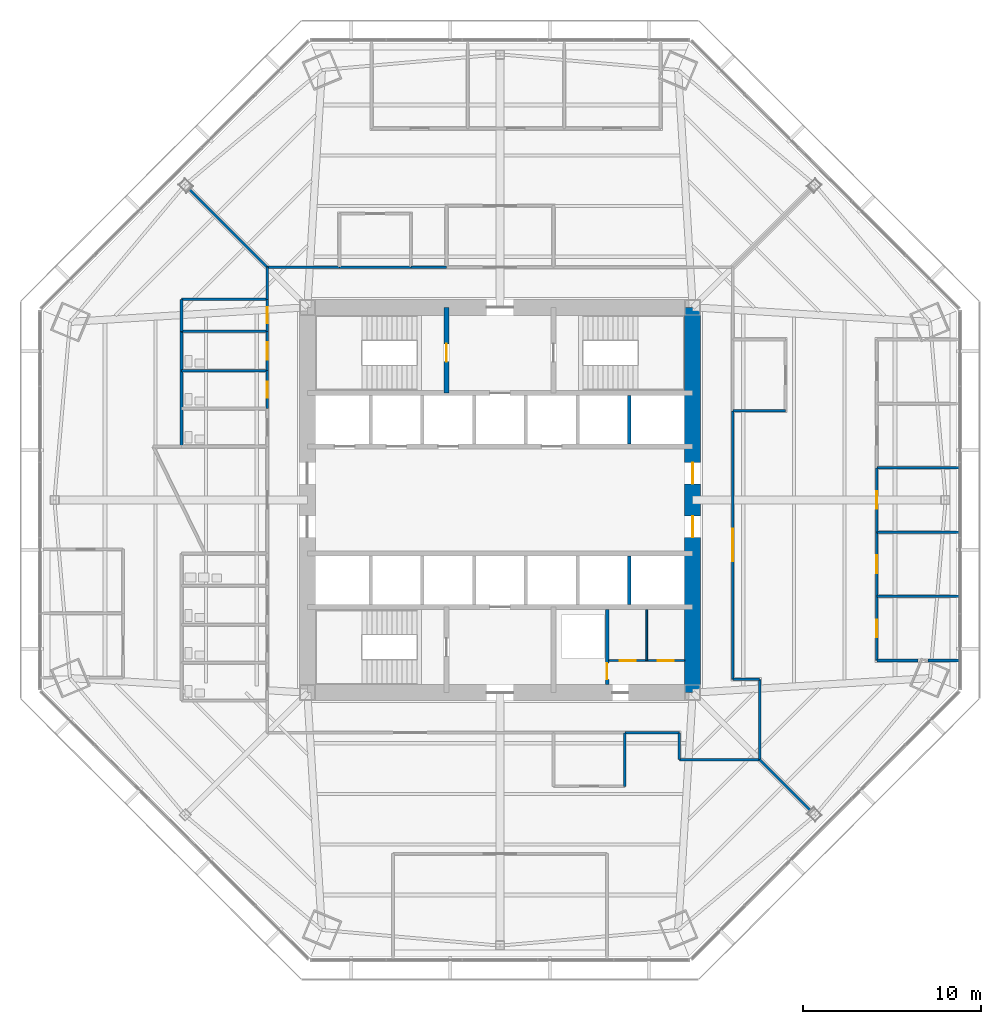
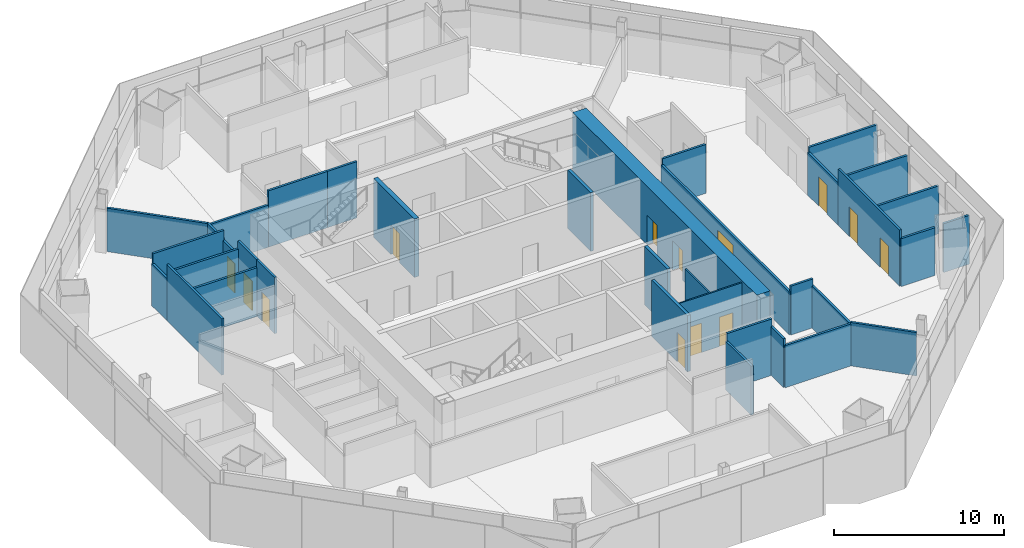
# One storey, part 11 of 16: 36 walls, 13 doors, 13 openings.
"""IFC4 building model written with IfcOpenShell, lengths in metres."""

from ifc_helpers import new_model, si_unit, direction, frame, frame_2d, origin, place, context, subcontext, project, spatial, rectangle, extrude, material, layer, layer_set, type_object, element, fill, save


model = new_model("IFC4")

# Units and contexts
model_context = context("Model", 3, precision=1e-05, world=origin(), true_north=direction((0.0, 1.0)))
body_context = subcontext(model_context, "Body", "Model", "MODEL_VIEW")
ifc_project = project(units=[si_unit("LENGTHUNIT", "METRE"), si_unit("AREAUNIT", "SQUARE_METRE"), si_unit("VOLUMEUNIT", "CUBIC_METRE"), si_unit("PLANEANGLEUNIT", "RADIAN"), si_unit("MASSUNIT", "GRAM", prefix="KILO")], contexts=[model_context])

# Site, building, storey
site_placement = place(None, origin())
site = spatial("IfcSite", under=ifc_project, at=site_placement, CompositionType="ELEMENT")
building_placement = place(site_placement, origin())
building = spatial("IfcBuilding", under=site, at=building_placement, Name="Mashrafa Tower", CompositionType="ELEMENT")
storey_placement = place(building_placement, frame((0.0, 0.0, 79.199951171875)))
storey = spatial("IfcBuildingStorey", under=building, at=storey_placement, Name="L17", CompositionType="ELEMENT", Elevation=79.199951171875)

# Wall, opening, door
ifc_material_1 = material(Name="Concrete masonry unit", Category="masonry")
ifc_layer_1 = layer(ifc_material_1, 0.199951171875)
ifc_layer_set_1 = layer_set([ifc_layer_1], Name="Blockwork wall 200 2 hr")
wall_type_1 = type_object("IfcWallType", Name="Blockwork wall 200 2 hr", PredefinedType="PARTITIONING", material=ifc_layer_set_1)
wall_1_placement = place(storey_placement, frame((6.0, -10.35009765625, 0.0), z_axis=(0.0, 0.0, 1.0), x_axis=(0.0, 1.0, 0.0)))
wall_1 = element("IfcWall", 1, at=wall_1_placement, inside=storey, type_object=wall_type_1, Name="Riser enclosure wall L17", PredefinedType="PARTITIONING", context=body_context, shape_type="SweptSolid", body=[
    extrude(rectangle(XDim=4.2001953125, YDim=0.199951171875, at=frame_2d((2.10009765625, 0.0))), origin(), (0.0, 0.0, 1.0), 4.03515625),
])
opening_1_placement = place(wall_1_placement, frame((0.300048828125, 0.0, 0.0)))
opening_1 = element("IfcOpeningElement", 2, at=opening_1_placement, cuts=wall_1, Name="Opening 17.038", PredefinedType="OPENING", context=body_context, shape_type="SweptSolid", body=[
    extrude(rectangle(XDim=0.89990234375, YDim=2.10009765625, at=frame_2d((0.449951171875, 1.050048828125))), frame((0.0, 0.10986328125, 0.0), z_axis=(0.0, -1.0, 0.0), x_axis=(1.0, 0.0, 0.0)), (0.0, 0.0, 1.0), 0.219970703125),
])
ifc_material_2 = material(Name="Steel door", Category="steel")
door_type_1 = type_object("IfcDoorType", Name="Service door 900 x 2100 90 min", OperationType="USERDEFINED", PredefinedType="DOOR", material=ifc_material_2)
door_1_placement = place(opening_1_placement, origin())
door_1 = element("IfcDoor", 3, at=door_1_placement, inside=storey, type_object=door_type_1, Name="Riser door L17", OperationType="SINGLE_SWING_LEFT", OverallHeight=2.10009765625, OverallWidth=0.89990234375, PredefinedType="DOOR", context=body_context, shape_type="SweptSolid", body=[
    extrude(rectangle(XDim=0.89990234375, YDim=2.10009765625, at=frame_2d((0.449951171875, 1.050048828125))), frame((0.0, 0.02490234375, 0.0), z_axis=(0.0, -1.0, 0.0), x_axis=(1.0, 0.0, 0.0)), (0.0, 0.0, 1.0), 0.050048828125),
])
fill(opening_1, door_1)

ifc_material_3 = material(Name="Concrete C60/75", Category="concrete")
ifc_layer_2 = layer(ifc_material_3, 0.300048828125)
ifc_layer_set_2 = layer_set([ifc_layer_2], Name="Core wall 300 C60/75")
wall_type_2 = type_object("IfcWallType", Name="Core wall 300 C60/75", PredefinedType="SOLIDWALL", material=ifc_layer_set_2)
wall_2_placement = place(storey_placement, frame((-3.0, 6.0, 0.0), z_axis=(0.0, 0.0, 1.0), x_axis=(0.0, 1.0, 0.0)))
wall_2 = element("IfcWall", 4, at=wall_2_placement, inside=storey, type_object=wall_type_2, Name="Core wall CX-NW L17", PredefinedType="SOLIDWALL", context=body_context, shape_type="SweptSolid", body=[
    extrude(rectangle(XDim=4.800048828125, YDim=0.300048828125, at=frame_2d((2.39990234375, 0.0))), origin(), (0.0, 0.0, 1.0), 4.199951171875),
])
opening_2_placement = place(wall_2_placement, frame((1.75, 0.0, 0.0)))
opening_2 = element("IfcOpeningElement", 5, at=opening_2_placement, cuts=wall_2, Name="Opening 17.034", PredefinedType="OPENING", context=body_context, shape_type="SweptSolid", body=[
    extrude(rectangle(XDim=1.0, YDim=2.10009765625, at=frame_2d((0.5, 1.050048828125))), frame((0.0, 0.159912109375, 0.0), z_axis=(0.0, -1.0, 0.0), x_axis=(1.0, 0.0, 0.0)), (0.0, 0.0, 1.0), 0.320068359375),
])
ifc_material_4 = material(Name="Steel door", Category="steel")
door_type_2 = type_object("IfcDoorType", Name="Stair door 1000 x 2100 90 min", OperationType="USERDEFINED", PredefinedType="DOOR", material=ifc_material_4)
door_2_placement = place(opening_2_placement, origin())
door_2 = element("IfcDoor", 6, at=door_2_placement, inside=storey, type_object=door_type_2, Name="Stair S1 door L17", OperationType="SINGLE_SWING_LEFT", OverallHeight=2.10009765625, OverallWidth=1.0, PredefinedType="DOOR", context=body_context, shape_type="SweptSolid", body=[
    extrude(rectangle(XDim=1.0, YDim=2.10009765625, at=frame_2d((0.5, 1.050048828125))), frame((0.0, 0.02490234375, 0.0), z_axis=(0.0, -1.0, 0.0), x_axis=(1.0, 0.0, 0.0)), (0.0, 0.0, 1.0), 0.050048828125),
])
fill(opening_2, door_2)

# Wall, openings, doors
ifc_material_5 = material(Name="Concrete C60/75", Category="concrete")
ifc_layer_3 = layer(ifc_material_5, 0.89990234375)
ifc_layer_set_3 = layer_set([ifc_layer_3], Name="Core wall 900 C60/75")
wall_type_3 = type_object("IfcWallType", Name="Core wall 900 C60/75", PredefinedType="SOLIDWALL", material=ifc_layer_set_3)
wall_3_placement = place(storey_placement, frame((10.800048828125, -10.800048828125, 0.0), z_axis=(0.0, 0.0, 1.0), x_axis=(0.0, 1.0, 0.0)))
wall_3 = element("IfcWall", 7, at=wall_3_placement, inside=storey, type_object=wall_type_3, Name="Core wall CW-E L17", PredefinedType="SOLIDWALL", context=body_context, shape_type="SweptSolid", body=[
    extrude(rectangle(XDim=21.60009765625, YDim=0.89990234375, at=frame_2d((10.800048828125, 0.0))), origin(), (0.0, 0.0, 1.0), 4.199951171875),
])
opening_3_placement = place(wall_3_placement, frame((11.699951171875, 0.0, 0.0)))
opening_3 = element("IfcOpeningElement", 8, at=opening_3_placement, cuts=wall_3, Name="Opening 17.028", PredefinedType="OPENING", context=body_context, shape_type="SweptSolid", body=[
    extrude(rectangle(XDim=1.199951171875, YDim=2.10009765625, at=frame_2d((0.60009765625, 1.050048828125))), frame((0.0, 0.4599609375, 0.0), z_axis=(0.0, -1.0, 0.0), x_axis=(1.0, 0.0, 0.0)), (0.0, 0.0, 1.0), 0.919921875),
])
opening_4_placement = place(wall_3_placement, frame((8.699951171875, 0.0, 0.0)))
opening_4 = element("IfcOpeningElement", 9, at=opening_4_placement, cuts=wall_3, Name="Opening 17.030", PredefinedType="OPENING", context=body_context, shape_type="SweptSolid", body=[
    extrude(rectangle(XDim=1.199951171875, YDim=2.10009765625, at=frame_2d((0.60009765625, 1.050048828125))), frame((0.0, 0.4599609375, 0.0), z_axis=(0.0, -1.0, 0.0), x_axis=(1.0, 0.0, 0.0)), (0.0, 0.0, 1.0), 0.919921875),
])
ifc_material_6 = material(Name="Steel door", Category="steel")
door_type_3 = type_object("IfcDoorType", Name="Lift hall door 1200 x 2100 90 min", OperationType="USERDEFINED", PredefinedType="DOOR", material=ifc_material_6)
door_3_placement = place(opening_3_placement, frame((1.199951171875, 0.0, 0.0), z_axis=(0.0, 0.0, 1.0), x_axis=(-1.0, 0.0, 0.0)))
door_3 = element("IfcDoor", 10, at=door_3_placement, inside=storey, type_object=door_type_3, Name="Lift hall door east L17", OperationType="SINGLE_SWING_LEFT", OverallHeight=2.10009765625, OverallWidth=1.199951171875, PredefinedType="DOOR", context=body_context, shape_type="SweptSolid", body=[
    extrude(rectangle(XDim=1.199951171875, YDim=2.10009765625, at=frame_2d((0.60009765625, 1.050048828125))), frame((0.0, 0.02490234375, 0.0), z_axis=(0.0, -1.0, 0.0), x_axis=(1.0, 0.0, 0.0)), (0.0, 0.0, 1.0), 0.050048828125),
])
fill(opening_3, door_3)
door_4_placement = place(opening_4_placement, frame((1.199951171875, 0.0, 0.0), z_axis=(0.0, 0.0, 1.0), x_axis=(-1.0, 0.0, 0.0)))
door_4 = element("IfcDoor", 11, at=door_4_placement, inside=storey, type_object=door_type_3, Name="Lift hall door east L17", OperationType="SINGLE_SWING_RIGHT", OverallHeight=2.10009765625, OverallWidth=1.199951171875, PredefinedType="DOOR", context=body_context, shape_type="SweptSolid", body=[
    extrude(rectangle(XDim=1.199951171875, YDim=2.10009765625, at=frame_2d((0.60009765625, 1.050048828125))), frame((0.0, 0.02490234375, 0.0), z_axis=(0.0, -1.0, 0.0), x_axis=(1.0, 0.0, 0.0)), (0.0, 0.0, 1.0), 0.050048828125),
])
fill(opening_4, door_4)

# Wall, opening, door
ifc_material_7 = material(Name="Gypsum board on steel studs", Category="steel")
ifc_layer_4 = layer(ifc_material_7, 0.14990234375)
ifc_layer_set_4 = layer_set([ifc_layer_4], Name="Corridor partition 150 1 hr")
wall_type_4 = type_object("IfcWallType", Name="Corridor partition 150 1 hr", PredefinedType="PARTITIONING", material=ifc_layer_set_4)
wall_4_placement = place(storey_placement, frame((-13.050048828125, 7.2509765625, 0.0), z_axis=(0.0, 0.0, 1.0), x_axis=(0.0, -1.0, 0.0)))
wall_4 = element("IfcWall", 12, at=wall_4_placement, inside=storey, type_object=wall_type_4, Name="Corridor wall L17-002", PredefinedType="PARTITIONING", context=body_context, shape_type="SweptSolid", body=[
    extrude(rectangle(XDim=2.126953125, YDim=0.14990234375, at=frame_2d((1.0634765625, 0.0))), origin(), (0.0, 0.0, 1.0), 4.03515625),
])
opening_5_placement = place(wall_4_placement, frame((0.613525390625, 0.0, 0.0)))
opening_5 = element("IfcOpeningElement", 13, at=opening_5_placement, cuts=wall_4, Name="Opening 17.002", PredefinedType="OPENING", context=body_context, shape_type="SweptSolid", body=[
    extrude(rectangle(XDim=0.89990234375, YDim=2.10009765625, at=frame_2d((0.449951171875, 1.050048828125))), frame((0.0, 0.0849609375, 0.0), z_axis=(0.0, -1.0, 0.0), x_axis=(1.0, 0.0, 0.0)), (0.0, 0.0, 1.0), 0.169921875),
])
ifc_material_8 = material(Name="Timber door", Category="wood")
door_type_4 = type_object("IfcDoorType", Name="Toilet door 900 x 2100", OperationType="USERDEFINED", PredefinedType="DOOR", material=ifc_material_8)
door_5_placement = place(opening_5_placement, frame((0.89990234375, 0.0, 0.0), z_axis=(0.0, 0.0, 1.0), x_axis=(-1.0, 0.0, 0.0)))
door_5 = element("IfcDoor", 14, at=door_5_placement, inside=storey, type_object=door_type_4, Name="WC Male L17 N door", OperationType="SINGLE_SWING_LEFT", OverallHeight=2.10009765625, OverallWidth=0.89990234375, PredefinedType="DOOR", context=body_context, shape_type="SweptSolid", body=[
    extrude(rectangle(XDim=0.89990234375, YDim=2.10009765625, at=frame_2d((0.449951171875, 1.050048828125))), frame((0.0, 0.02490234375, 0.0), z_axis=(0.0, -1.0, 0.0), x_axis=(1.0, 0.0, 0.0)), (0.0, 0.0, 1.0), 0.050048828125),
])
fill(opening_5, door_5)

wall_5_placement = place(storey_placement, frame((-13.050048828125, 9.450927734375, 0.0), z_axis=(0.0, 0.0, 1.0), x_axis=(0.0, -1.0, 0.0)))
wall_5 = element("IfcWall", 15, at=wall_5_placement, inside=storey, type_object=wall_type_4, Name="Corridor wall L17-003", PredefinedType="PARTITIONING", context=body_context, shape_type="SweptSolid", body=[
    extrude(rectangle(XDim=2.201904296875, YDim=0.14990234375, at=frame_2d((1.10107421875, 0.0))), origin(), (0.0, 0.0, 1.0), 4.03515625),
])
opening_6_placement = place(wall_5_placement, frame((0.60107421875, 0.0, 0.0)))
opening_6 = element("IfcOpeningElement", 16, at=opening_6_placement, cuts=wall_5, Name="Opening 17.003", PredefinedType="OPENING", context=body_context, shape_type="SweptSolid", body=[
    extrude(rectangle(XDim=1.0, YDim=2.10009765625, at=frame_2d((0.5, 1.050048828125))), frame((0.0, 0.0849609375, 0.0), z_axis=(0.0, -1.0, 0.0), x_axis=(1.0, 0.0, 0.0)), (0.0, 0.0, 1.0), 0.169921875),
])
ifc_material_9 = material(Name="Timber door", Category="wood")
door_type_5 = type_object("IfcDoorType", Name="Accessible toilet door 1000 x 2100", OperationType="USERDEFINED", PredefinedType="DOOR", material=ifc_material_9)
door_6_placement = place(opening_6_placement, frame((1.0, 0.0, 0.0), z_axis=(0.0, 0.0, 1.0), x_axis=(-1.0, 0.0, 0.0)))
door_6 = element("IfcDoor", 17, at=door_6_placement, inside=storey, type_object=door_type_5, Name="Accessible WC L17 N door", OperationType="SINGLE_SWING_RIGHT", OverallHeight=2.10009765625, OverallWidth=1.0, PredefinedType="DOOR", context=body_context, shape_type="SweptSolid", body=[
    extrude(rectangle(XDim=1.0, YDim=2.10009765625, at=frame_2d((0.5, 1.050048828125))), frame((0.0, 0.02490234375, 0.0), z_axis=(0.0, -1.0, 0.0), x_axis=(1.0, 0.0, 0.0)), (0.0, 0.0, 1.0), 0.050048828125),
])
fill(opening_6, door_6)

wall_6_placement = place(storey_placement, frame((-13.050048828125, 11.2509765625, 0.0), z_axis=(0.0, 0.0, 1.0), x_axis=(0.0, -1.0, 0.0)))
wall_6 = element("IfcWall", 18, at=wall_6_placement, inside=storey, type_object=wall_type_4, Name="Corridor wall L17-004", PredefinedType="PARTITIONING", context=body_context, shape_type="SweptSolid", body=[
    extrude(rectangle(XDim=1.802001953125, YDim=0.14990234375, at=frame_2d((0.90087890625, 0.0))), origin(), (0.0, 0.0, 1.0), 3.01416015625),
])
opening_7_placement = place(wall_6_placement, frame((0.450927734375, 0.0, 0.0)))
opening_7 = element("IfcOpeningElement", 19, at=opening_7_placement, cuts=wall_6, Name="Opening 17.004", PredefinedType="OPENING", context=body_context, shape_type="SweptSolid", body=[
    extrude(rectangle(XDim=0.89990234375, YDim=2.10009765625, at=frame_2d((0.449951171875, 1.050048828125))), frame((0.0, 0.0849609375, 0.0), z_axis=(0.0, -1.0, 0.0), x_axis=(1.0, 0.0, 0.0)), (0.0, 0.0, 1.0), 0.169921875),
])
ifc_material_10 = material(Name="Timber door", Category="wood")
door_type_6 = type_object("IfcDoorType", Name="Store door 900 x 2100", OperationType="USERDEFINED", PredefinedType="DOOR", material=ifc_material_10)
door_7_placement = place(opening_7_placement, frame((0.89990234375, 0.0, 0.0), z_axis=(0.0, 0.0, 1.0), x_axis=(-1.0, 0.0, 0.0)))
door_7 = element("IfcDoor", 20, at=door_7_placement, inside=storey, type_object=door_type_6, Name="Cleaner's Store L17 N door", OperationType="SINGLE_SWING_LEFT", OverallHeight=2.10009765625, OverallWidth=0.89990234375, PredefinedType="DOOR", context=body_context, shape_type="SweptSolid", body=[
    extrude(rectangle(XDim=0.89990234375, YDim=2.10009765625, at=frame_2d((0.449951171875, 1.050048828125))), frame((0.0, 0.02490234375, 0.0), z_axis=(0.0, -1.0, 0.0), x_axis=(1.0, 0.0, 0.0)), (0.0, 0.0, 1.0), 0.050048828125),
])
fill(opening_7, door_7)

# Walls
wall_7_placement = place(storey_placement, frame((-4.9990234375, 13.050048828125, 0.0), z_axis=(0.0, 0.0, 1.0), x_axis=(-1.0, 0.0, 0.0)))
element("IfcWall", 21, at=wall_7_placement, inside=storey, type_object=wall_type_4, Name="Corridor wall L17-011", PredefinedType="PARTITIONING", context=body_context, shape_type="SweptSolid", body=[
    extrude(rectangle(XDim=4.001953125, YDim=0.14990234375, at=frame_2d((2.0009765625, 0.0))), origin(), (0.0, 0.0, 1.0), 4.03515625),
])
wall_8_placement = place(storey_placement, frame((-8.9990234375, 13.050048828125, 0.0), z_axis=(0.0, 0.0, 1.0), x_axis=(-1.0, 0.0, 0.0)))
element("IfcWall", 22, at=wall_8_placement, inside=storey, type_object=wall_type_4, Name="Corridor wall L17-014", PredefinedType="PARTITIONING", context=body_context, shape_type="SweptSolid", body=[
    extrude(rectangle(XDim=4.051025390625, YDim=0.14990234375, at=frame_2d((2.025390625, 0.0))), origin(), (0.0, 0.0, 1.0), 3.01416015625),
])
wall_9_placement = place(storey_placement, frame((-2.9990234375, 13.050048828125, 0.0), z_axis=(0.0, 0.0, 1.0), x_axis=(-1.0, 0.0, 0.0)))
element("IfcWall", 23, at=wall_9_placement, inside=storey, type_object=wall_type_4, Name="Corridor wall L17-015", PredefinedType="PARTITIONING", context=body_context, shape_type="SweptSolid", body=[
    extrude(rectangle(XDim=2.001953125, YDim=0.14990234375, at=frame_2d((1.0009765625, 0.0))), origin(), (0.0, 0.0, 1.0), 4.03515625),
])
wall_10_placement = place(storey_placement, frame((14.550048828125, -14.550048828125, 0.0), z_axis=(0.0, 0.0, 1.0), x_axis=(0.0, 1.0, 0.0)))
element("IfcWall", 24, at=wall_10_placement, inside=storey, type_object=wall_type_4, Name="Corridor wall L17-018", PredefinedType="PARTITIONING", context=body_context, shape_type="SweptSolid", body=[
    extrude(rectangle(XDim=4.5, YDim=0.14990234375, at=frame_2d((2.25, 0.0))), origin(), (0.0, 0.0, 1.0), 3.01416015625),
])
wall_11_placement = place(storey_placement, frame((14.550048828125, -10.050048828125, 0.0), z_axis=(0.0, 0.0, 1.0), x_axis=(-1.0, 0.0, 0.0)))
element("IfcWall", 25, at=wall_11_placement, inside=storey, type_object=wall_type_4, Name="Corridor wall L17-019", PredefinedType="PARTITIONING", context=body_context, shape_type="SweptSolid", body=[
    extrude(rectangle(XDim=1.5, YDim=0.14990234375, at=frame_2d((0.75, 0.0))), origin(), (0.0, 0.0, 1.0), 3.49169921875),
])

# Wall, opening, door
wall_12_placement = place(storey_placement, frame((13.050048828125, -10.050048828125, 0.0), z_axis=(0.0, 0.0, 1.0), x_axis=(0.0, 1.0, 0.0)))
wall_12 = element("IfcWall", 26, at=wall_12_placement, inside=storey, type_object=wall_type_4, Name="Corridor wall L17-020", PredefinedType="PARTITIONING", context=body_context, shape_type="SweptSolid", body=[
    extrude(rectangle(XDim=15.051025390625, YDim=0.14990234375, at=frame_2d((7.525390625, 0.0))), origin(), (0.0, 0.0, 1.0), 3.06494140625),
])
opening_8_placement = place(wall_12_placement, frame((6.62548828125, 0.0, 0.0)))
opening_8 = element("IfcOpeningElement", 27, at=opening_8_placement, cuts=wall_12, Name="Opening 17.026", PredefinedType="OPENING", context=body_context, shape_type="SweptSolid", body=[
    extrude(rectangle(XDim=1.800048828125, YDim=2.39990234375, at=frame_2d((0.89990234375, 1.199951171875))), frame((0.0, 0.0849609375, 0.0), z_axis=(0.0, -1.0, 0.0), x_axis=(1.0, 0.0, 0.0)), (0.0, 0.0, 1.0), 0.169921875),
])
ifc_material_11 = material(Name="Timber door", Category="wood")
door_type_7 = type_object("IfcDoorType", Name="Door pair 1800 x 2400", OperationType="DOUBLE_DOOR_SINGLE_SWING", PredefinedType="DOOR", material=ifc_material_11)
door_8_placement = place(opening_8_placement, frame((1.800048828125, 0.0, 0.0), z_axis=(0.0, 0.0, 1.0), x_axis=(-1.0, 0.0, 0.0)))
door_8 = element("IfcDoor", 28, at=door_8_placement, inside=storey, type_object=door_type_7, Name="Office Tenancy 17-E door", OperationType="DOUBLE_DOOR_SINGLE_SWING", OverallHeight=2.39990234375, OverallWidth=1.800048828125, PredefinedType="DOOR", context=body_context, shape_type="SweptSolid", body=[
    extrude(rectangle(XDim=1.800048828125, YDim=2.39990234375, at=frame_2d((0.89990234375, 1.199951171875))), frame((0.0, 0.02490234375, 0.0), z_axis=(0.0, -1.0, 0.0), x_axis=(1.0, 0.0, 0.0)), (0.0, 0.0, 1.0), 0.050048828125),
])
fill(opening_8, door_8)

# Walls
wall_13_placement = place(storey_placement, frame((-13.050048828125, 13.050048828125, 0.0), z_axis=(0.0, 0.0, 1.0), x_axis=(0.0, -1.0, 0.0)))
element("IfcWall", 29, at=wall_13_placement, inside=storey, type_object=wall_type_4, Name="Corridor wall L17-023", PredefinedType="PARTITIONING", context=body_context, shape_type="SweptSolid", body=[
    extrude(rectangle(XDim=1.801025390625, YDim=0.14990234375, at=frame_2d((0.900390625, 0.0))), origin(), (0.0, 0.0, 1.0), 3.113037109375),
])
wall_14_placement = place(storey_placement, frame((6.9990234375, -13.050048828125, 0.0), z_axis=(0.0, 0.0, 1.0), x_axis=(1.0, 0.0, 0.0)))
element("IfcWall", 30, at=wall_14_placement, inside=storey, type_object=wall_type_4, Name="Corridor wall L17-024", PredefinedType="PARTITIONING", context=body_context, shape_type="SweptSolid", body=[
    extrude(rectangle(XDim=3.051025390625, YDim=0.14990234375, at=frame_2d((1.525390625, 0.0))), origin(), (0.0, 0.0, 1.0), 4.03515625),
])
wall_15_placement = place(storey_placement, frame((10.050048828125, -13.050048828125, 0.0), z_axis=(0.0, 0.0, 1.0), x_axis=(0.0, -1.0, 0.0)))
element("IfcWall", 31, at=wall_15_placement, inside=storey, type_object=wall_type_4, Name="Corridor wall L17-025", PredefinedType="PARTITIONING", context=body_context, shape_type="SweptSolid", body=[
    extrude(rectangle(XDim=1.5, YDim=0.14990234375, at=frame_2d((0.75, 0.0))), origin(), (0.0, 0.0, 1.0), 3.49169921875),
])
wall_16_placement = place(storey_placement, frame((10.050048828125, -14.550048828125, 0.0), z_axis=(0.0, 0.0, 1.0), x_axis=(1.0, 0.0, 0.0)))
element("IfcWall", 32, at=wall_16_placement, inside=storey, type_object=wall_type_4, Name="Corridor wall L17-026", PredefinedType="PARTITIONING", context=body_context, shape_type="SweptSolid", body=[
    extrude(rectangle(XDim=4.5, YDim=0.14990234375, at=frame_2d((2.25, 0.0))), origin(), (0.0, 0.0, 1.0), 3.01416015625),
])

# Wall, openings, doors
ifc_material_12 = material(Name="Gypsum board on steel studs", Category="steel")
ifc_layer_5 = layer(ifc_material_12, 0.10009765625)
ifc_layer_set_5 = layer_set([ifc_layer_5], Name="Partition 100 1 hr")
wall_type_5 = type_object("IfcWallType", Name="Partition 100 1 hr", PredefinedType="PARTITIONING", material=ifc_layer_set_5)
wall_17_placement = place(storey_placement, frame((6.10009765625, -9.0, 0.0), z_axis=(0.0, 0.0, 1.0), x_axis=(1.0, 0.0, 0.0)))
wall_17 = element("IfcWall", 33, at=wall_17_placement, inside=storey, type_object=wall_type_5, Name="Services lobby partition A L17", PredefinedType="PARTITIONING", context=body_context, shape_type="SweptSolid", body=[
    extrude(rectangle(XDim=4.25, YDim=0.10009765625, at=frame_2d((2.125, 0.0))), origin(), (0.0, 0.0, 1.0), 4.03515625),
])
opening_9_placement = place(wall_17_placement, frame((0.612548828125, 0.0, 0.0)))
opening_9 = element("IfcOpeningElement", 34, at=opening_9_placement, cuts=wall_17, Name="Opening 17.039", PredefinedType="OPENING", context=body_context, shape_type="SweptSolid", body=[
    extrude(rectangle(XDim=0.89990234375, YDim=2.10009765625, at=frame_2d((0.449951171875, 1.050048828125))), frame((0.0, 0.06005859375, 0.0), z_axis=(0.0, -1.0, 0.0), x_axis=(1.0, 0.0, 0.0)), (0.0, 0.0, 1.0), 0.1201171875),
])
opening_10_placement = place(wall_17_placement, frame((2.737548828125, 0.0, 0.0)))
opening_10 = element("IfcOpeningElement", 35, at=opening_10_placement, cuts=wall_17, Name="Opening 17.040", PredefinedType="OPENING", context=body_context, shape_type="SweptSolid", body=[
    extrude(rectangle(XDim=0.89990234375, YDim=2.10009765625, at=frame_2d((0.449951171875, 1.050048828125))), frame((0.0, 0.06005859375, 0.0), z_axis=(0.0, -1.0, 0.0), x_axis=(1.0, 0.0, 0.0)), (0.0, 0.0, 1.0), 0.1201171875),
])
door_9_placement = place(opening_9_placement, origin())
door_9 = element("IfcDoor", 36, at=door_9_placement, inside=storey, type_object=door_type_6, Name="Tenant Store L17 door", OperationType="SINGLE_SWING_RIGHT", OverallHeight=2.10009765625, OverallWidth=0.89990234375, PredefinedType="DOOR", context=body_context, shape_type="SweptSolid", body=[
    extrude(rectangle(XDim=0.89990234375, YDim=2.10009765625, at=frame_2d((0.449951171875, 1.050048828125))), frame((0.0, 0.02490234375, 0.0), z_axis=(0.0, -1.0, 0.0), x_axis=(1.0, 0.0, 0.0)), (0.0, 0.0, 1.0), 0.050048828125),
])
fill(opening_9, door_9)
door_10_placement = place(opening_10_placement, origin())
door_10 = element("IfcDoor", 37, at=door_10_placement, inside=storey, type_object=door_type_6, Name="Cleaner's Store L17 door", OperationType="SINGLE_SWING_LEFT", OverallHeight=2.10009765625, OverallWidth=0.89990234375, PredefinedType="DOOR", context=body_context, shape_type="SweptSolid", body=[
    extrude(rectangle(XDim=0.89990234375, YDim=2.10009765625, at=frame_2d((0.449951171875, 1.050048828125))), frame((0.0, 0.02490234375, 0.0), z_axis=(0.0, -1.0, 0.0), x_axis=(1.0, 0.0, 0.0)), (0.0, 0.0, 1.0), 0.050048828125),
])
fill(opening_10, door_10)

# Walls
wall_18_placement = place(storey_placement, frame((8.22509765625, -9.0, 0.0), z_axis=(0.0, 0.0, 1.0), x_axis=(0.0, 1.0, 0.0)))
element("IfcWall", 38, at=wall_18_placement, inside=storey, type_object=wall_type_5, Name="Services lobby partition B L17", PredefinedType="PARTITIONING", context=body_context, shape_type="SweptSolid", body=[
    extrude(rectangle(XDim=2.85009765625, YDim=0.10009765625, at=frame_2d((1.425048828125, 0.0))), origin(), (0.0, 0.0, 1.0), 4.03515625),
])
ifc_material_13 = material(Name="Gypsum board on steel studs", Category="steel")
ifc_layer_6 = layer(ifc_material_13, 0.14990234375)
ifc_layer_set_6 = layer_set([ifc_layer_6], Name="Partition 150")
wall_type_6 = type_object("IfcWallType", Name="Partition 150", PredefinedType="PARTITIONING", material=ifc_layer_set_6)
wall_19_placement = place(storey_placement, frame((-17.85009765625, 3.0, 0.0), z_axis=(0.0, 0.0, 1.0), x_axis=(0.0, 1.0, 0.0)))
element("IfcWall", 39, at=wall_19_placement, inside=storey, type_object=wall_type_6, Name="Partition wall L17-029", PredefinedType="PARTITIONING", context=body_context, shape_type="SweptSolid", body=[
    extrude(rectangle(XDim=6.449951171875, YDim=0.14990234375, at=frame_2d((3.22509765625, 0.0))), origin(), (0.0, 0.0, 1.0), 4.03515625),
])
for number, where, z_axis, x_axis, name in (
    (40, (-13.050048828125, 7.25, 0.0), (0.0, 0.0, 1.0), (-1.0, 0.0, 0.0), "Partition wall L17-030"),
    (41, (-13.050048828125, 9.449951171875, 0.0), (0.0, 0.0, 1.0), (-1.0, 0.0, 0.0), "Partition wall L17-032"),
):
    element("IfcWall", number, at=place(storey_placement, frame(where, z_axis=z_axis, x_axis=x_axis)), inside=storey, type_object=wall_type_6, Name=name, PredefinedType="PARTITIONING", context=body_context, shape_type="SweptSolid", body=[
        extrude(rectangle(XDim=4.800048828125, YDim=0.14990234375, at=frame_2d((2.39990234375, 0.0))), origin(), (0.0, 0.0, 1.0), 3.49169921875),
    ])
wall_20_placement = place(storey_placement, frame((-13.050048828125, 11.25, 0.0), z_axis=(0.0, 0.0, 1.0), x_axis=(-1.0, 0.0, 0.0)))
element("IfcWall", 42, at=wall_20_placement, inside=storey, type_object=wall_type_6, Name="Partition wall L17-034", PredefinedType="PARTITIONING", context=body_context, shape_type="SweptSolid", body=[
    extrude(rectangle(XDim=4.800048828125, YDim=0.14990234375, at=frame_2d((2.39990234375, 0.0))), origin(), (0.0, 0.0, 1.0), 3.715087890625),
])
wall_21_placement = place(storey_placement, frame((-17.85009765625, 11.25, 0.0), z_axis=(0.0, 0.0, 1.0), x_axis=(0.0, -1.0, 0.0)))
element("IfcWall", 43, at=wall_21_placement, inside=storey, type_object=wall_type_6, Name="Partition wall L17-035", PredefinedType="PARTITIONING", context=body_context, shape_type="SweptSolid", body=[
    extrude(rectangle(XDim=1.800048828125, YDim=0.14990234375, at=frame_2d((0.89990234375, 0.0))), origin(), (0.0, 0.0, 1.0), 3.01416015625),
])
wall_22_placement = place(storey_placement, frame((13.050048828125, 5.0, 0.0), z_axis=(0.0, 0.0, 1.0), x_axis=(1.0, 0.0, 0.0)))
element("IfcWall", 44, at=wall_22_placement, inside=storey, type_object=wall_type_6, Name="Partition wall L17-054", PredefinedType="PARTITIONING", context=body_context, shape_type="SweptSolid", body=[
    extrude(rectangle(XDim=2.949951171875, YDim=0.14990234375, at=frame_2d((1.47509765625, 0.0))), origin(), (0.0, 0.0, 1.0), 3.49169921875),
])
wall_23_placement = place(storey_placement, frame((7.0, -16.050048828125, 0.0), z_axis=(0.0, 0.0, 1.0), x_axis=(0.0, 1.0, 0.0)))
element("IfcWall", 45, at=wall_23_placement, inside=storey, type_object=wall_type_6, Name="Partition wall L17-062", PredefinedType="PARTITIONING", context=body_context, shape_type="SweptSolid", body=[
    extrude(rectangle(XDim=3.0, YDim=0.14990234375, at=frame_2d((1.5, 0.0))), origin(), (0.0, 0.0, 1.0), 3.49169921875),
])
wall_24_placement = place(storey_placement, frame((25.75634765625, -5.39990234375, 0.0), z_axis=(0.0, 0.0, 1.0), x_axis=(-1.0, 0.0, 0.0)))
element("IfcWall", 46, at=wall_24_placement, inside=storey, type_object=wall_type_6, Name="Partition wall L17-071", PredefinedType="PARTITIONING", context=body_context, shape_type="SweptSolid", body=[
    extrude(rectangle(XDim=4.632080078125, YDim=0.14990234375, at=frame_2d((2.31591796875, 0.0))), origin(), (0.0, 0.0, 1.0), 3.423095703125),
])

# Wall, openings, doors
wall_25_placement = place(storey_placement, frame((21.124267578125, -9.0, 0.0), z_axis=(0.0, 0.0, 1.0), x_axis=(0.0, 1.0, 0.0)))
wall_25 = element("IfcWall", 47, at=wall_25_placement, inside=storey, type_object=wall_type_6, Name="Partition wall L17-072", PredefinedType="PARTITIONING", context=body_context, shape_type="SweptSolid", body=[
    extrude(rectangle(XDim=7.199951171875, YDim=0.14990234375, at=frame_2d((3.60009765625, 0.0))), origin(), (0.0, 0.0, 1.0), 4.03515625),
])
opening_11_placement = place(wall_25_placement, frame((1.300048828125, 0.0, 0.0)))
opening_11 = element("IfcOpeningElement", 48, at=opening_11_placement, cuts=wall_25, Name="Opening 17.018", PredefinedType="OPENING", context=body_context, shape_type="SweptSolid", body=[
    extrude(rectangle(XDim=1.0, YDim=2.10009765625, at=frame_2d((0.5, 1.050048828125))), frame((0.0, 0.0849609375, 0.0), z_axis=(0.0, -1.0, 0.0), x_axis=(1.0, 0.0, 0.0)), (0.0, 0.0, 1.0), 0.169921875),
])
opening_12_placement = place(wall_25_placement, frame((4.89990234375, 0.0, 0.0)))
opening_12 = element("IfcOpeningElement", 49, at=opening_12_placement, cuts=wall_25, Name="Opening 17.019", PredefinedType="OPENING", context=body_context, shape_type="SweptSolid", body=[
    extrude(rectangle(XDim=1.0, YDim=2.10009765625, at=frame_2d((0.5, 1.050048828125))), frame((0.0, 0.0849609375, 0.0), z_axis=(0.0, -1.0, 0.0), x_axis=(1.0, 0.0, 0.0)), (0.0, 0.0, 1.0), 0.169921875),
])
ifc_material_14 = material(Name="Timber door", Category="wood")
door_type_8 = type_object("IfcDoorType", Name="Door 1000 x 2100", OperationType="USERDEFINED", PredefinedType="DOOR", material=ifc_material_14)
door_11_placement = place(opening_11_placement, frame((1.0, 0.0, 0.0), z_axis=(0.0, 0.0, 1.0), x_axis=(-1.0, 0.0, 0.0)))
door_11 = element("IfcDoor", 50, at=door_11_placement, inside=storey, type_object=door_type_8, Name="Office 17-E-1 door", OperationType="SINGLE_SWING_RIGHT", OverallHeight=2.10009765625, OverallWidth=1.0, PredefinedType="DOOR", context=body_context, shape_type="SweptSolid", body=[
    extrude(rectangle(XDim=1.0, YDim=2.10009765625, at=frame_2d((0.5, 1.050048828125))), frame((0.0, 0.02490234375, 0.0), z_axis=(0.0, -1.0, 0.0), x_axis=(1.0, 0.0, 0.0)), (0.0, 0.0, 1.0), 0.050048828125),
])
fill(opening_11, door_11)
door_12_placement = place(opening_12_placement, frame((1.0, 0.0, 0.0), z_axis=(0.0, 0.0, 1.0), x_axis=(-1.0, 0.0, 0.0)))
door_12 = element("IfcDoor", 51, at=door_12_placement, inside=storey, type_object=door_type_8, Name="Office 17-E-2 door", OperationType="SINGLE_SWING_RIGHT", OverallHeight=2.10009765625, OverallWidth=1.0, PredefinedType="DOOR", context=body_context, shape_type="SweptSolid", body=[
    extrude(rectangle(XDim=1.0, YDim=2.10009765625, at=frame_2d((0.5, 1.050048828125))), frame((0.0, 0.02490234375, 0.0), z_axis=(0.0, -1.0, 0.0), x_axis=(1.0, 0.0, 0.0)), (0.0, 0.0, 1.0), 0.050048828125),
])
fill(opening_12, door_12)

# Walls
wall_26_placement = place(storey_placement, frame((21.124267578125, -9.0, 0.0), z_axis=(0.0, 0.0, 1.0), x_axis=(1.0, 0.0, 0.0)))
element("IfcWall", 52, at=wall_26_placement, inside=storey, type_object=wall_type_6, Name="Partition wall L17-073", PredefinedType="PARTITIONING", context=body_context, shape_type="SweptSolid", body=[
    extrude(rectangle(XDim=2.2978515625, YDim=0.14990234375, at=frame_2d((1.14892578125, 0.0))), origin(), (0.0, 0.0, 1.0), 3.423095703125),
])
wall_27_placement = place(storey_placement, frame((23.998779296875, -9.0, 0.0), z_axis=(0.0, 0.0, 1.0), x_axis=(1.0, 0.0, 0.0)))
element("IfcWall", 53, at=wall_27_placement, inside=storey, type_object=wall_type_6, Name="Partition wall L17-074", PredefinedType="PARTITIONING", context=body_context, shape_type="SweptSolid", body=[
    extrude(rectangle(XDim=1.757568359375, YDim=0.14990234375, at=frame_2d((0.87890625, 0.0))), origin(), (0.0, 0.0, 1.0), 3.496826171875),
])
for number, where, z_axis, x_axis, name in (
    (54, (25.75634765625, -1.800048828125, 0.0), (0.0, 0.0, 1.0), (-1.0, 0.0, 0.0), "Partition wall L17-075"),
    (55, (25.75634765625, 1.800048828125, 0.0), (0.0, 0.0, 1.0), (-1.0, 0.0, 0.0), "Partition wall L17-077"),
):
    element("IfcWall", number, at=place(storey_placement, frame(where, z_axis=z_axis, x_axis=x_axis)), inside=storey, type_object=wall_type_6, Name=name, PredefinedType="PARTITIONING", context=body_context, shape_type="SweptSolid", body=[
        extrude(rectangle(XDim=4.632080078125, YDim=0.14990234375, at=frame_2d((2.31591796875, 0.0))), origin(), (0.0, 0.0, 1.0), 3.423095703125),
    ])

# Wall, opening, door
wall_28_placement = place(storey_placement, frame((21.124267578125, 1.800048828125, 0.0), z_axis=(0.0, 0.0, 1.0), x_axis=(0.0, -1.0, 0.0)))
wall_28 = element("IfcWall", 56, at=wall_28_placement, inside=storey, type_object=wall_type_6, Name="Partition wall L17-078", PredefinedType="PARTITIONING", context=body_context, shape_type="SweptSolid", body=[
    extrude(rectangle(XDim=3.60009765625, YDim=0.14990234375, at=frame_2d((1.800048828125, 0.0))), origin(), (0.0, 0.0, 1.0), 3.06494140625),
])
opening_13_placement = place(wall_28_placement, frame((1.300048828125, 0.0, 0.0)))
opening_13 = element("IfcOpeningElement", 57, at=opening_13_placement, cuts=wall_28, Name="Opening 17.020", PredefinedType="OPENING", context=body_context, shape_type="SweptSolid", body=[
    extrude(rectangle(XDim=1.0, YDim=2.10009765625, at=frame_2d((0.5, 1.050048828125))), frame((0.0, 0.0849609375, 0.0), z_axis=(0.0, -1.0, 0.0), x_axis=(1.0, 0.0, 0.0)), (0.0, 0.0, 1.0), 0.169921875),
])
door_13_placement = place(opening_13_placement, origin())
door_13 = element("IfcDoor", 58, at=door_13_placement, inside=storey, type_object=door_type_8, Name="Office 17-E-3 door", OperationType="SINGLE_SWING_LEFT", OverallHeight=2.10009765625, OverallWidth=1.0, PredefinedType="DOOR", context=body_context, shape_type="SweptSolid", body=[
    extrude(rectangle(XDim=1.0, YDim=2.10009765625, at=frame_2d((0.5, 1.050048828125))), frame((0.0, 0.02490234375, 0.0), z_axis=(0.0, -1.0, 0.0), x_axis=(1.0, 0.0, 0.0)), (0.0, 0.0, 1.0), 0.050048828125),
])
fill(opening_13, door_13)

# Walls
wall_29_placement = place(storey_placement, frame((-17.38525390625, 17.38525390625, 0.0), z_axis=(0.0, 0.0, 1.0), x_axis=(0.707106781187, -0.707106781187, 0.0)))
element("IfcWall", 59, at=wall_29_placement, inside=storey, type_object=wall_type_6, Name="Partition wall L17-091", PredefinedType="PARTITIONING", context=body_context, shape_type="SweptSolid", body=[
    extrude(rectangle(XDim=6.130859375, YDim=0.14990234375, at=frame_2d((3.0654296875, 0.0))), origin(), (0.0, 0.0, 1.0), 3.113037109375),
])
wall_30_placement = place(storey_placement, frame((14.550048828125, -14.550048828125, 0.0), z_axis=(0.0, 0.0, 1.0), x_axis=(0.707106781187, -0.707106781187, 0.0)))
element("IfcWall", 60, at=wall_30_placement, inside=storey, type_object=wall_type_6, Name="Partition wall L17-092", PredefinedType="PARTITIONING", context=body_context, shape_type="SweptSolid", body=[
    extrude(rectangle(XDim=4.009521484375, YDim=0.14990234375, at=frame_2d((2.0048828125, 0.0))), origin(), (0.0, 0.0, 1.0), 3.113037109375),
])
ifc_material_15 = material(Name="Gypsum shaft wall on steel studs", Category="steel")
ifc_layer_7 = layer(ifc_material_15, 0.199951171875)
ifc_layer_set_7 = layer_set([ifc_layer_7], Name="Shaft divider wall 200 2 hr")
wall_type_7 = type_object("IfcWallType", Name="Shaft divider wall 200 2 hr", PredefinedType="PARTITIONING", material=ifc_layer_set_7)
for number, where, z_axis, x_axis, name in (
    (61, (7.25, 3.14990234375, 0.0), (0.0, 0.0, 1.0), (0.0, 1.0, 0.0), "Shaft divider wall N6 L17"),
    (62, (7.25, -5.85009765625, 0.0), (0.0, 0.0, 1.0), (0.0, 1.0, 0.0), "Shaft divider wall S6 L17"),
):
    element("IfcWall", number, at=place(storey_placement, frame(where, z_axis=z_axis, x_axis=x_axis)), inside=storey, type_object=wall_type_7, Name=name, PredefinedType="PARTITIONING", context=body_context, shape_type="SweptSolid", body=[
        extrude(rectangle(XDim=2.7001953125, YDim=0.199951171875, at=frame_2d((1.35009765625, 0.0))), origin(), (0.0, 0.0, 1.0), 4.199951171875),
    ])

save(model, "model.ifc")
